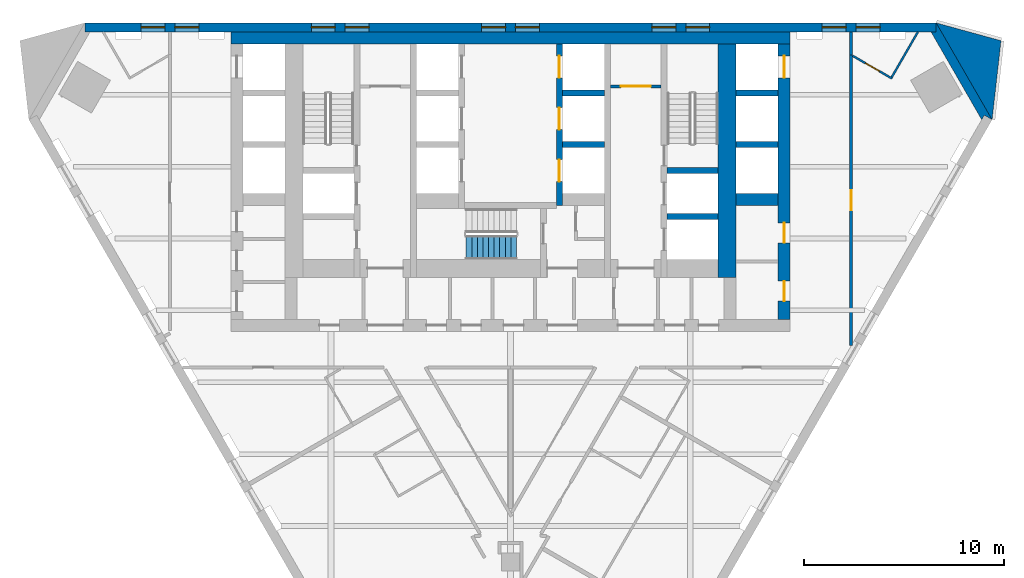
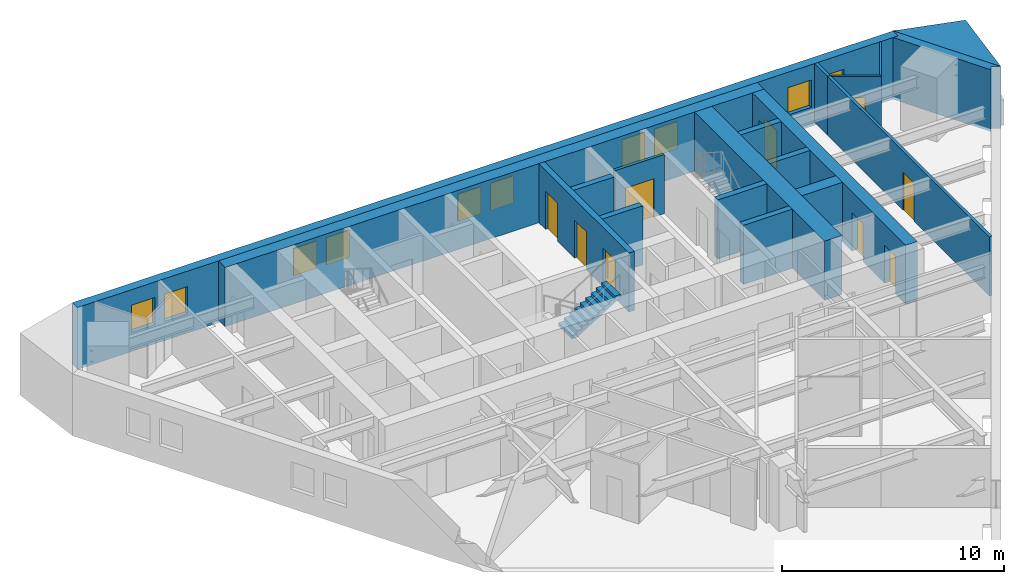
# One storey, part 6 of 9: 19 walls, 10 windows, 9 doors, 1 stair flight, 19 openings, 1 element without a shape of its own.
"""IFC4 building model written with IfcOpenShell, lengths in metres."""

from ifc_helpers import new_model, si_unit, direction, frame, frame_2d, origin, place, context, subcontext, project, spatial, polyline, rectangle, outline, extrude, material, layer, layer_set, type_object, element, fill, aggregate, save


model = new_model("IFC4")

# Units and contexts
model_context = context("Model", 3, precision=1e-05, world=origin(), true_north=direction((0.0, 1.0)))
body_context = subcontext(model_context, "Body", "Model", "MODEL_VIEW")
ifc_project = project(units=[si_unit("LENGTHUNIT", "METRE"), si_unit("AREAUNIT", "SQUARE_METRE"), si_unit("VOLUMEUNIT", "CUBIC_METRE"), si_unit("PLANEANGLEUNIT", "RADIAN"), si_unit("MASSUNIT", "GRAM", prefix="KILO")], contexts=[model_context])

# Site, building, storey
site_placement = place(None, origin())
site = spatial("IfcSite", under=ifc_project, at=site_placement, CompositionType="ELEMENT")
building_placement = place(site_placement, origin())
building = spatial("IfcBuilding", under=site, at=building_placement, Name="Aloe Facet Convention Tower", CompositionType="ELEMENT")
storey_placement = place(building_placement, frame((0.0, 0.0, 120.300048828125)))
storey = spatial("IfcBuildingStorey", under=building, at=storey_placement, Name="L30", CompositionType="ELEMENT", Elevation=120.300048828125)

# Wall, opening, door
ifc_material_1 = material(Name="Concrete blockwork partition", Category="masonry")
ifc_layer_1 = layer(ifc_material_1, 0.14990234375)
ifc_layer_set_1 = layer_set([ifc_layer_1], Name="CR-W-PART150")
wall_type_1 = type_object("IfcWallType", Name="CR-W-PART150", PredefinedType="PARTITIONING", material=ifc_layer_set_1)
wall_1_placement = place(storey_placement, frame((85.0, 131.824951171875, 0.0), z_axis=(0.0, 0.0, 1.0), x_axis=(1.0, 0.0, 0.0)))
wall_1 = element("IfcWall", 1, at=wall_1_placement, inside=storey, type_object=wall_type_1, Name="Core partition L30-039", PredefinedType="PARTITIONING", context=body_context, shape_type="SweptSolid", body=[
    extrude(rectangle(XDim=2.550048828125, YDim=0.14990234375, at=frame_2d((1.27490234375, 0.0))), origin(), (0.0, 0.0, 1.0), 3.25),
])
opening_1_placement = place(wall_1_placement, frame((0.52490234375, 0.0, 0.0)))
opening_1 = element("IfcOpeningElement", 2, at=opening_1_placement, cuts=wall_1, Name="Opening L30-CD20", PredefinedType="OPENING", context=body_context, shape_type="SweptSolid", body=[
    extrude(rectangle(XDim=1.5, YDim=2.10009765625, at=frame_2d((0.75, 1.050048828125))), frame((0.0, 0.0849609375, 0.0), z_axis=(0.0, -1.0, 0.0), x_axis=(1.0, 0.0, 0.0)), (0.0, 0.0, 1.0), 0.169921875),
])
ifc_material_2 = material(Name="Steel fire-resisting door set FD60", Category="steel")
door_type_1 = type_object("IfcDoorType", Name="CR-D-REFUGE-1500-FD60-DD", OperationType="DOUBLE_DOOR_DOUBLE_SWING", PredefinedType="DOOR", material=ifc_material_2)
door_1_placement = place(opening_1_placement, origin())
door_1 = element("IfcDoor", 3, at=door_1_placement, inside=storey, type_object=door_type_1, Name="Core door L30-CD20", OperationType="DOUBLE_DOOR_DOUBLE_SWING", OverallHeight=2.10009765625, OverallWidth=1.5, PredefinedType="DOOR", context=body_context, shape_type="SweptSolid", body=[
    extrude(rectangle(XDim=1.5, YDim=2.10009765625, at=frame_2d((0.75, 1.050048828125))), frame((0.0, 0.02490234375, 0.0), z_axis=(0.0, -1.0, 0.0), x_axis=(1.0, 0.0, 0.0)), (0.0, 0.0, 1.0), 0.050048828125),
])
fill(opening_1, door_1)

# Wall, openings, doors
ifc_material_3 = material(Name="Concrete C70/85", Category="concrete")
ifc_layer_2 = layer(ifc_material_3, 0.300048828125)
ifc_layer_set_2 = layer_set([ifc_layer_2], Name="CR-W-RC300-C7085")
wall_type_2 = type_object("IfcWallType", Name="CR-W-RC300-C7085", PredefinedType="SOLIDWALL", material=ifc_layer_set_2)
wall_2_placement = place(storey_placement, frame((82.449951171875, 133.949951171875, 0.0), z_axis=(0.0, 0.0, 1.0), x_axis=(0.0, -1.0, 0.0)))
wall_2 = element("IfcWall", 4, at=wall_2_placement, inside=storey, type_object=wall_type_2, Name="Core wall L30-031", PredefinedType="SOLIDWALL", context=body_context, shape_type="SweptSolid", body=[
    extrude(rectangle(XDim=8.099853515625, YDim=0.300048828125, at=frame_2d((4.0498046875, 0.0))), origin(), (0.0, 0.0, 1.0), 3.25),
])
opening_2_placement = place(wall_2_placement, frame((0.60009765625, 0.0, 0.0)))
opening_2 = element("IfcOpeningElement", 5, at=opening_2_placement, cuts=wall_2, Name="Opening LD-A4-L30", PredefinedType="OPENING", context=body_context, shape_type="SweptSolid", body=[
    extrude(rectangle(XDim=1.10009765625, YDim=2.10009765625, at=frame_2d((0.550048828125, 1.050048828125))), frame((0.0, 0.16015625, 0.0), z_axis=(0.0, -1.0, 0.0), x_axis=(1.0, 0.0, 0.0)), (0.0, 0.0, 1.0), 0.320068359375),
])
opening_3_placement = place(wall_2_placement, frame((3.199951171875, 0.0, 0.0)))
opening_3 = element("IfcOpeningElement", 6, at=opening_3_placement, cuts=wall_2, Name="Opening LD-A5-L30", PredefinedType="OPENING", context=body_context, shape_type="SweptSolid", body=[
    extrude(rectangle(XDim=1.10009765625, YDim=2.10009765625, at=frame_2d((0.550048828125, 1.050048828125))), frame((0.0, 0.16015625, 0.0), z_axis=(0.0, -1.0, 0.0), x_axis=(1.0, 0.0, 0.0)), (0.0, 0.0, 1.0), 0.320068359375),
])
opening_4_placement = place(wall_2_placement, frame((5.800048828125, 0.0, 0.0)))
opening_4 = element("IfcOpeningElement", 7, at=opening_4_placement, cuts=wall_2, Name="Opening LD-A6-L30", PredefinedType="OPENING", context=body_context, shape_type="SweptSolid", body=[
    extrude(rectangle(XDim=1.10009765625, YDim=2.10009765625, at=frame_2d((0.550048828125, 1.050048828125))), frame((0.0, 0.16015625, 0.0), z_axis=(0.0, -1.0, 0.0), x_axis=(1.0, 0.0, 0.0)), (0.0, 0.0, 1.0), 0.320068359375),
])
ifc_material_4 = material(Name="Stainless steel sliding landing door", Category="steel")
door_type_2 = type_object("IfcDoorType", Name="CR-LD-1100-FD60-_LEFT", OperationType="SLIDING_TO_LEFT", PredefinedType="DOOR", material=ifc_material_4)
door_2_placement = place(opening_2_placement, origin())
door_2 = element("IfcDoor", 8, at=door_2_placement, inside=storey, type_object=door_type_2, Name="Landing door A4 L30", OperationType="SLIDING_TO_LEFT", OverallHeight=2.10009765625, OverallWidth=1.10009765625, PredefinedType="DOOR", context=body_context, shape_type="SweptSolid", body=[
    extrude(rectangle(XDim=1.10009765625, YDim=2.10009765625, at=frame_2d((0.550048828125, 1.050048828125))), frame((0.0, 0.02490234375, 0.0), z_axis=(0.0, -1.0, 0.0), x_axis=(1.0, 0.0, 0.0)), (0.0, 0.0, 1.0), 0.050048828125),
])
fill(opening_2, door_2)
door_3_placement = place(opening_3_placement, origin())
door_3 = element("IfcDoor", 9, at=door_3_placement, inside=storey, type_object=door_type_2, Name="Landing door A5 L30", OperationType="SLIDING_TO_LEFT", OverallHeight=2.10009765625, OverallWidth=1.10009765625, PredefinedType="DOOR", context=body_context, shape_type="SweptSolid", body=[
    extrude(rectangle(XDim=1.10009765625, YDim=2.10009765625, at=frame_2d((0.550048828125, 1.050048828125))), frame((0.0, 0.02490234375, 0.0), z_axis=(0.0, -1.0, 0.0), x_axis=(1.0, 0.0, 0.0)), (0.0, 0.0, 1.0), 0.050048828125),
])
fill(opening_3, door_3)
door_4_placement = place(opening_4_placement, origin())
door_4 = element("IfcDoor", 10, at=door_4_placement, inside=storey, type_object=door_type_2, Name="Landing door A6 L30", OperationType="SLIDING_TO_LEFT", OverallHeight=2.10009765625, OverallWidth=1.10009765625, PredefinedType="DOOR", context=body_context, shape_type="SweptSolid", body=[
    extrude(rectangle(XDim=1.10009765625, YDim=2.10009765625, at=frame_2d((0.550048828125, 1.050048828125))), frame((0.0, 0.02490234375, 0.0), z_axis=(0.0, -1.0, 0.0), x_axis=(1.0, 0.0, 0.0)), (0.0, 0.0, 1.0), 0.050048828125),
])
fill(opening_4, door_4)

# Walls
for number, where, z_axis, x_axis, name in (
    (11, (82.60009765625, 131.5, 0.0), (0.0, 0.0, 1.0), (1.0, 0.0, 0.0), "Core wall L30-032"),
    (12, (82.60009765625, 128.89990234375, 0.0), (0.0, 0.0, 1.0), (1.0, 0.0, 0.0), "Core wall L30-033"),
):
    element("IfcWall", number, at=place(storey_placement, frame(where, z_axis=z_axis, x_axis=x_axis)), inside=storey, type_object=wall_type_2, Name=name, PredefinedType="SOLIDWALL", context=body_context, shape_type="SweptSolid", body=[
        extrude(rectangle(XDim=2.099853515625, YDim=0.300048828125, at=frame_2d((1.0498046875, 0.0))), origin(), (0.0, 0.0, 1.0), 3.25),
    ])
for number, where, z_axis, x_axis, name in (
    (13, (87.85009765625, 127.60009765625, 0.0), (0.0, 0.0, 1.0), (1.0, 0.0, 0.0), "Core wall L30-044"),
    (14, (87.85009765625, 125.300048828125, 0.0), (0.0, 0.0, 1.0), (1.0, 0.0, 0.0), "Core wall L30-045"),
):
    element("IfcWall", number, at=place(storey_placement, frame(where, z_axis=z_axis, x_axis=x_axis)), inside=storey, type_object=wall_type_2, Name=name, PredefinedType="SOLIDWALL", context=body_context, shape_type="SweptSolid", body=[
        extrude(rectangle(XDim=2.5498046875, YDim=0.300048828125, at=frame_2d((1.27490234375, 0.0))), origin(), (0.0, 0.0, 1.0), 3.25),
    ])
for number, where, z_axis, x_axis, name in (
    (15, (91.300048828125, 131.5, 0.0), (0.0, 0.0, 1.0), (1.0, 0.0, 0.0), "Core wall L30-050"),
    (16, (91.300048828125, 128.89990234375, 0.0), (0.0, 0.0, 1.0), (1.0, 0.0, 0.0), "Core wall L30-051"),
):
    element("IfcWall", number, at=place(storey_placement, frame(where, z_axis=z_axis, x_axis=x_axis)), inside=storey, type_object=wall_type_2, Name=name, PredefinedType="SOLIDWALL", context=body_context, shape_type="SweptSolid", body=[
        extrude(rectangle(XDim=2.099853515625, YDim=0.300048828125, at=frame_2d((1.0498046875, 0.0))), origin(), (0.0, 0.0, 1.0), 3.25),
    ])
ifc_material_5 = material(Name="Concrete C70/85", Category="concrete")
ifc_layer_3 = layer(ifc_material_5, 0.60009765625)
ifc_layer_set_3 = layer_set([ifc_layer_3], Name="CR-W-RC600-C7085")
wall_type_3 = type_object("IfcWallType", Name="CR-W-RC600-C7085", PredefinedType="SOLIDWALL", material=ifc_layer_set_3)
wall_3_placement = place(storey_placement, frame((66.0, 134.25, 0.0), z_axis=(0.0, 0.0, 1.0), x_axis=(1.0, 0.0, 0.0)))
element("IfcWall", 17, at=wall_3_placement, inside=storey, type_object=wall_type_3, Name="Core wall L30-001", PredefinedType="SOLIDWALL", context=body_context, shape_type="SweptSolid", body=[
    extrude(rectangle(XDim=28.0, YDim=0.60009765625, at=frame_2d((14.0, 0.0))), origin(), (0.0, 0.0, 1.0), 3.25),
])
wall_4_placement = place(storey_placement, frame((91.300048828125, 126.14990234375, 0.0), z_axis=(0.0, 0.0, 1.0), x_axis=(1.0, 0.0, 0.0)))
element("IfcWall", 18, at=wall_4_placement, inside=storey, type_object=wall_type_3, Name="Core wall L30-052", PredefinedType="SOLIDWALL", context=body_context, shape_type="SweptSolid", body=[
    extrude(rectangle(XDim=2.099853515625, YDim=0.60009765625, at=frame_2d((1.0498046875, 0.0))), origin(), (0.0, 0.0, 1.0), 3.25),
])

# Wall, openings, doors
wall_5_placement = place(storey_placement, frame((93.699951171875, 133.949951171875, 0.0), z_axis=(0.0, 0.0, 1.0), x_axis=(0.0, -1.0, 0.0)))
wall_5 = element("IfcWall", 19, at=wall_5_placement, inside=storey, type_object=wall_type_3, Name="Core wall L30-054", PredefinedType="SOLIDWALL", context=body_context, shape_type="SweptSolid", body=[
    extrude(rectangle(XDim=13.800048828125, YDim=0.60009765625, at=frame_2d((6.89990234375, 0.0))), origin(), (0.0, 0.0, 1.0), 3.25),
])
opening_5_placement = place(wall_5_placement, frame((0.60009765625, 0.0, 0.0)))
opening_5 = element("IfcOpeningElement", 20, at=opening_5_placement, cuts=wall_5, Name="Opening LD-A8-L30", PredefinedType="OPENING", context=body_context, shape_type="SweptSolid", body=[
    extrude(rectangle(XDim=1.10009765625, YDim=2.10009765625, at=frame_2d((0.550048828125, 1.050048828125))), frame((0.0, 0.31005859375, 0.0), z_axis=(0.0, -1.0, 0.0), x_axis=(1.0, 0.0, 0.0)), (0.0, 0.0, 1.0), 0.6201171875),
])
opening_6_placement = place(wall_5_placement, frame((8.963134765625, 0.0, 0.0)))
opening_6 = element("IfcOpeningElement", 21, at=opening_6_placement, cuts=wall_5, Name="Opening L30-CD09", PredefinedType="OPENING", context=body_context, shape_type="SweptSolid", body=[
    extrude(rectangle(XDim=1.0, YDim=2.10009765625, at=frame_2d((0.5, 1.050048828125))), frame((0.0, 0.31005859375, 0.0), z_axis=(0.0, -1.0, 0.0), x_axis=(1.0, 0.0, 0.0)), (0.0, 0.0, 1.0), 0.6201171875),
])
opening_7_placement = place(wall_5_placement, frame((11.88818359375, 0.0, 0.0)))
opening_7 = element("IfcOpeningElement", 22, at=opening_7_placement, cuts=wall_5, Name="Opening L30-CD10", PredefinedType="OPENING", context=body_context, shape_type="SweptSolid", body=[
    extrude(rectangle(XDim=1.0, YDim=2.10009765625, at=frame_2d((0.5, 1.050048828125))), frame((0.0, 0.31005859375, 0.0), z_axis=(0.0, -1.0, 0.0), x_axis=(1.0, 0.0, 0.0)), (0.0, 0.0, 1.0), 0.6201171875),
])
ifc_material_6 = material(Name="Steel fire-resisting door set FD60", Category="steel")
door_type_3 = type_object("IfcDoorType", Name="CR-D-ROOM-1000-FD60-SLEFT", OperationType="SINGLE_SWING_LEFT", PredefinedType="DOOR", material=ifc_material_6)
door_5_placement = place(opening_6_placement, origin())
door_5 = element("IfcDoor", 23, at=door_5_placement, inside=storey, type_object=door_type_3, Name="Core door L30-CD09", OperationType="SINGLE_SWING_LEFT", OverallHeight=2.10009765625, OverallWidth=1.0, PredefinedType="DOOR", context=body_context, shape_type="SweptSolid", body=[
    extrude(rectangle(XDim=1.0, YDim=2.10009765625, at=frame_2d((0.5, 1.050048828125))), frame((0.0, 0.02490234375, 0.0), z_axis=(0.0, -1.0, 0.0), x_axis=(1.0, 0.0, 0.0)), (0.0, 0.0, 1.0), 0.050048828125),
])
fill(opening_6, door_5)
door_6_placement = place(opening_7_placement, origin())
door_6 = element("IfcDoor", 24, at=door_6_placement, inside=storey, type_object=door_type_3, Name="Core door L30-CD10", OperationType="SINGLE_SWING_LEFT", OverallHeight=2.10009765625, OverallWidth=1.0, PredefinedType="DOOR", context=body_context, shape_type="SweptSolid", body=[
    extrude(rectangle(XDim=1.0, YDim=2.10009765625, at=frame_2d((0.5, 1.050048828125))), frame((0.0, 0.02490234375, 0.0), z_axis=(0.0, -1.0, 0.0), x_axis=(1.0, 0.0, 0.0)), (0.0, 0.0, 1.0), 0.050048828125),
])
fill(opening_7, door_6)
door_7_placement = place(opening_5_placement, origin())
door_7 = element("IfcDoor", 25, at=door_7_placement, inside=storey, type_object=door_type_2, Name="Landing door A8 L30", OperationType="SLIDING_TO_LEFT", OverallHeight=2.10009765625, OverallWidth=1.10009765625, PredefinedType="DOOR", context=body_context, shape_type="SweptSolid", body=[
    extrude(rectangle(XDim=1.10009765625, YDim=2.10009765625, at=frame_2d((0.550048828125, 1.050048828125))), frame((0.0, 0.02490234375, 0.0), z_axis=(0.0, -1.0, 0.0), x_axis=(1.0, 0.0, 0.0)), (0.0, 0.0, 1.0), 0.050048828125),
])
fill(opening_5, door_7)

# Walls
ifc_material_7 = material(Name="Concrete C70/85", Category="concrete")
ifc_layer_4 = layer(ifc_material_7, 0.89990234375)
ifc_layer_set_4 = layer_set([ifc_layer_4], Name="CR-W-RC900-C7085")
wall_type_4 = type_object("IfcWallType", Name="CR-W-RC900-C7085", PredefinedType="SOLIDWALL", material=ifc_layer_set_4)
wall_6_placement = place(storey_placement, frame((90.85009765625, 133.949951171875, 0.0), z_axis=(0.0, 0.0, 1.0), x_axis=(0.0, -1.0, 0.0)))
element("IfcWall", 26, at=wall_6_placement, inside=storey, type_object=wall_type_4, Name="Core wall L30-048", PredefinedType="SOLIDWALL", context=body_context, shape_type="SweptSolid", body=[
    extrude(rectangle(XDim=11.699951171875, YDim=0.89990234375, at=frame_2d((5.85009765625, 0.0))), origin(), (0.0, 0.0, 1.0), 3.25),
])
ifc_material_8 = material(Name="Precast concrete C40/50", Category="concrete")
ifc_layer_5 = layer(ifc_material_8, 0.449951171875)
ifc_layer_set_5 = layer_set([ifc_layer_5], Name="EV-WALL-PIER")
wall_type_5 = type_object("IfcWallType", Name="EV-WALL-PIER", PredefinedType="SOLIDWALL", material=ifc_layer_set_5)
wall_7_placement = place(storey_placement, frame((0.0, 0.0, -0.150146484375)))
element("IfcWall", 27, at=wall_7_placement, inside=storey, type_object=wall_type_5, Name="EP-L30-C", PredefinedType="SOLIDWALL", context=body_context, shape_type="SweptSolid", body=[
    extrude(outline(polyline([(104.12158203125, 130.150146484375), (103.73193359375, 130.375244140625), (103.601806640625, 130.150146484375), (101.061767578125, 134.550048828125), (101.321533203125, 134.550048828125), (101.321533203125, 135.0), (104.12158203125, 130.150146484375)])), origin(), (0.0, 0.0, 1.0), 3.400146484375),
])
ifc_material_9 = material(Name="Precast concrete C40/50", Category="concrete")
ifc_layer_6 = layer(ifc_material_9, 3.947998046875)
ifc_layer_set_6 = layer_set([ifc_layer_6], Name="EV-WALL-SPINE")
wall_type_6 = type_object("IfcWallType", Name="EV-WALL-SPINE", PredefinedType="SOLIDWALL", material=ifc_layer_set_6)
wall_8_placement = place(storey_placement, frame((0.0, 0.0, -0.150146484375)))
element("IfcWall", 28, at=wall_8_placement, inside=storey, type_object=wall_type_6, Name="SP-NE-L30", PredefinedType="SOLIDWALL", context=body_context, shape_type="SweptSolid", body=[
    extrude(outline(polyline([(104.12158203125, 130.150146484375), (104.56787109375, 134.109130859375), (101.321533203125, 135.0), (104.12158203125, 130.150146484375)])), origin(), (0.0, 0.0, 1.0), 3.400146484375),
])

# Wall, openings, windows
ifc_material_10 = material(Name="Precast concrete C40/50", Category="concrete")
ifc_layer_7 = layer(ifc_material_10, 0.449951171875)
ifc_layer_set_7 = layer_set([ifc_layer_7], Name="EV-WALL-STONE")
wall_type_7 = type_object("IfcWallType", Name="EV-WALL-STONE", PredefinedType="SOLIDWALL", material=ifc_layer_set_7)
wall_9_placement = place(storey_placement, frame((101.321533203125, 134.77490234375, -0.150146484375), z_axis=(0.0, 0.0, 1.0), x_axis=(-1.0, 0.0, 0.0)))
wall_9 = element("IfcWall", 29, at=wall_9_placement, inside=storey, type_object=wall_type_7, Name="EW-L30-N01", PredefinedType="SOLIDWALL", context=body_context, shape_type="SweptSolid", body=[
    extrude(outline(polyline([(42.64306640625, 0.0), (42.64306640625, 3.400146484375), (0.0, 3.400146484375), (0.0, 0.0), (42.64306640625, 0.0)])), frame((0.0, 0.22509765625, 0.0), z_axis=(0.0, -1.0, 0.0), x_axis=(1.0, 0.0, 0.0)), (0.0, 0.0, 1.0), 0.449951171875),
])
opening_8_placement = place(wall_9_placement, frame((2.814208984375, 0.0, 1.050048828125)))
opening_8 = element("IfcOpeningElement", 30, at=opening_8_placement, cuts=wall_9, Name="Opening W-L30-N01", PredefinedType="OPENING", context=body_context, shape_type="SweptSolid", body=[
    extrude(rectangle(XDim=1.199951171875, YDim=1.5, at=frame_2d((0.60009765625, 0.75))), frame((0.0, 0.23486328125, 0.0), z_axis=(0.0, -1.0, 0.0), x_axis=(1.0, 0.0, 0.0)), (0.0, 0.0, 1.0), 0.469970703125),
])
opening_9_placement = place(wall_9_placement, frame((4.514404296875, 0.0, 1.050048828125)))
opening_9 = element("IfcOpeningElement", 31, at=opening_9_placement, cuts=wall_9, Name="Opening W-L30-N02", PredefinedType="OPENING", context=body_context, shape_type="SweptSolid", body=[
    extrude(rectangle(XDim=1.199951171875, YDim=1.5, at=frame_2d((0.60009765625, 0.75))), frame((0.0, 0.23486328125, 0.0), z_axis=(0.0, -1.0, 0.0), x_axis=(1.0, 0.0, 0.0)), (0.0, 0.0, 1.0), 0.469970703125),
])
opening_10_placement = place(wall_9_placement, frame((11.343017578125, 0.0, 1.050048828125)))
opening_10 = element("IfcOpeningElement", 32, at=opening_10_placement, cuts=wall_9, Name="Opening W-L30-N03", PredefinedType="OPENING", context=body_context, shape_type="SweptSolid", body=[
    extrude(rectangle(XDim=1.199951171875, YDim=1.5, at=frame_2d((0.60009765625, 0.75))), frame((0.0, 0.23486328125, 0.0), z_axis=(0.0, -1.0, 0.0), x_axis=(1.0, 0.0, 0.0)), (0.0, 0.0, 1.0), 0.469970703125),
])
opening_11_placement = place(wall_9_placement, frame((13.04296875, 0.0, 1.050048828125)))
opening_11 = element("IfcOpeningElement", 33, at=opening_11_placement, cuts=wall_9, Name="Opening W-L30-N04", PredefinedType="OPENING", context=body_context, shape_type="SweptSolid", body=[
    extrude(rectangle(XDim=1.199951171875, YDim=1.5, at=frame_2d((0.60009765625, 0.75))), frame((0.0, 0.23486328125, 0.0), z_axis=(0.0, -1.0, 0.0), x_axis=(1.0, 0.0, 0.0)), (0.0, 0.0, 1.0), 0.469970703125),
])
opening_12_placement = place(wall_9_placement, frame((19.87158203125, 0.0, 1.050048828125)))
opening_12 = element("IfcOpeningElement", 34, at=opening_12_placement, cuts=wall_9, Name="Opening W-L30-N05", PredefinedType="OPENING", context=body_context, shape_type="SweptSolid", body=[
    extrude(rectangle(XDim=1.199951171875, YDim=1.5, at=frame_2d((0.60009765625, 0.75))), frame((0.0, 0.23486328125, 0.0), z_axis=(0.0, -1.0, 0.0), x_axis=(1.0, 0.0, 0.0)), (0.0, 0.0, 1.0), 0.469970703125),
])
opening_13_placement = place(wall_9_placement, frame((21.571533203125, 0.0, 1.050048828125)))
opening_13 = element("IfcOpeningElement", 35, at=opening_13_placement, cuts=wall_9, Name="Opening W-L30-N06", PredefinedType="OPENING", context=body_context, shape_type="SweptSolid", body=[
    extrude(rectangle(XDim=1.199951171875, YDim=1.5, at=frame_2d((0.60009765625, 0.75))), frame((0.0, 0.23486328125, 0.0), z_axis=(0.0, -1.0, 0.0), x_axis=(1.0, 0.0, 0.0)), (0.0, 0.0, 1.0), 0.469970703125),
])
opening_14_placement = place(wall_9_placement, frame((28.400146484375, 0.0, 1.050048828125)))
opening_14 = element("IfcOpeningElement", 36, at=opening_14_placement, cuts=wall_9, Name="Opening W-L30-N07", PredefinedType="OPENING", context=body_context, shape_type="SweptSolid", body=[
    extrude(rectangle(XDim=1.199951171875, YDim=1.5, at=frame_2d((0.60009765625, 0.75))), frame((0.0, 0.23486328125, 0.0), z_axis=(0.0, -1.0, 0.0), x_axis=(1.0, 0.0, 0.0)), (0.0, 0.0, 1.0), 0.469970703125),
])
opening_15_placement = place(wall_9_placement, frame((30.10009765625, 0.0, 1.050048828125)))
opening_15 = element("IfcOpeningElement", 37, at=opening_15_placement, cuts=wall_9, Name="Opening W-L30-N08", PredefinedType="OPENING", context=body_context, shape_type="SweptSolid", body=[
    extrude(rectangle(XDim=1.199951171875, YDim=1.5, at=frame_2d((0.60009765625, 0.75))), frame((0.0, 0.23486328125, 0.0), z_axis=(0.0, -1.0, 0.0), x_axis=(1.0, 0.0, 0.0)), (0.0, 0.0, 1.0), 0.469970703125),
])
opening_16_placement = place(wall_9_placement, frame((36.9287109375, 0.0, 1.050048828125)))
opening_16 = element("IfcOpeningElement", 38, at=opening_16_placement, cuts=wall_9, Name="Opening W-L30-N09", PredefinedType="OPENING", context=body_context, shape_type="SweptSolid", body=[
    extrude(rectangle(XDim=1.199951171875, YDim=1.5, at=frame_2d((0.60009765625, 0.75))), frame((0.0, 0.23486328125, 0.0), z_axis=(0.0, -1.0, 0.0), x_axis=(1.0, 0.0, 0.0)), (0.0, 0.0, 1.0), 0.469970703125),
])
opening_17_placement = place(wall_9_placement, frame((38.628662109375, 0.0, 1.050048828125)))
opening_17 = element("IfcOpeningElement", 39, at=opening_17_placement, cuts=wall_9, Name="Opening W-L30-N10", PredefinedType="OPENING", context=body_context, shape_type="SweptSolid", body=[
    extrude(rectangle(XDim=1.199951171875, YDim=1.5, at=frame_2d((0.60009765625, 0.75))), frame((0.0, 0.23486328125, 0.0), z_axis=(0.0, -1.0, 0.0), x_axis=(1.0, 0.0, 0.0)), (0.0, 0.0, 1.0), 0.469970703125),
])
ifc_material_11 = material(Name="Aluminium frame, clear double glazing", Category="aluminium")
window_type = type_object("IfcWindowType", Name="EV-WIN-H12", PartitioningType="SINGLE_PANEL", PredefinedType="WINDOW", material=ifc_material_11)
window_1_placement = place(opening_8_placement, origin())
window_1 = element("IfcWindow", 40, at=window_1_placement, inside=storey, type_object=window_type, Name="W-L30-N01", OverallHeight=1.5, OverallWidth=1.199951171875, PartitioningType="SINGLE_PANEL", PredefinedType="WINDOW", context=body_context, shape_type="SweptSolid", body=[
    extrude(rectangle(XDim=1.199951171875, YDim=1.5, at=frame_2d((0.60009765625, 0.75))), frame((0.0, 0.030029296875, 0.0), z_axis=(0.0, -1.0, 0.0), x_axis=(1.0, 0.0, 0.0)), (0.0, 0.0, 1.0), 0.06005859375),
])
fill(opening_8, window_1)
window_2_placement = place(opening_9_placement, origin())
window_2 = element("IfcWindow", 41, at=window_2_placement, inside=storey, type_object=window_type, Name="W-L30-N02", OverallHeight=1.5, OverallWidth=1.199951171875, PartitioningType="SINGLE_PANEL", PredefinedType="WINDOW", context=body_context, shape_type="SweptSolid", body=[
    extrude(rectangle(XDim=1.199951171875, YDim=1.5, at=frame_2d((0.60009765625, 0.75))), frame((0.0, 0.030029296875, 0.0), z_axis=(0.0, -1.0, 0.0), x_axis=(1.0, 0.0, 0.0)), (0.0, 0.0, 1.0), 0.06005859375),
])
fill(opening_9, window_2)
window_3_placement = place(opening_10_placement, origin())
window_3 = element("IfcWindow", 42, at=window_3_placement, inside=storey, type_object=window_type, Name="W-L30-N03", OverallHeight=1.5, OverallWidth=1.199951171875, PartitioningType="SINGLE_PANEL", PredefinedType="WINDOW", context=body_context, shape_type="SweptSolid", body=[
    extrude(rectangle(XDim=1.199951171875, YDim=1.5, at=frame_2d((0.60009765625, 0.75))), frame((0.0, 0.030029296875, 0.0), z_axis=(0.0, -1.0, 0.0), x_axis=(1.0, 0.0, 0.0)), (0.0, 0.0, 1.0), 0.06005859375),
])
fill(opening_10, window_3)
window_4_placement = place(opening_11_placement, origin())
window_4 = element("IfcWindow", 43, at=window_4_placement, inside=storey, type_object=window_type, Name="W-L30-N04", OverallHeight=1.5, OverallWidth=1.199951171875, PartitioningType="SINGLE_PANEL", PredefinedType="WINDOW", context=body_context, shape_type="SweptSolid", body=[
    extrude(rectangle(XDim=1.199951171875, YDim=1.5, at=frame_2d((0.60009765625, 0.75))), frame((0.0, 0.030029296875, 0.0), z_axis=(0.0, -1.0, 0.0), x_axis=(1.0, 0.0, 0.0)), (0.0, 0.0, 1.0), 0.06005859375),
])
fill(opening_11, window_4)
window_5_placement = place(opening_12_placement, origin())
window_5 = element("IfcWindow", 44, at=window_5_placement, inside=storey, type_object=window_type, Name="W-L30-N05", OverallHeight=1.5, OverallWidth=1.199951171875, PartitioningType="SINGLE_PANEL", PredefinedType="WINDOW", context=body_context, shape_type="SweptSolid", body=[
    extrude(rectangle(XDim=1.199951171875, YDim=1.5, at=frame_2d((0.60009765625, 0.75))), frame((0.0, 0.030029296875, 0.0), z_axis=(0.0, -1.0, 0.0), x_axis=(1.0, 0.0, 0.0)), (0.0, 0.0, 1.0), 0.06005859375),
])
fill(opening_12, window_5)
window_6_placement = place(opening_13_placement, origin())
window_6 = element("IfcWindow", 45, at=window_6_placement, inside=storey, type_object=window_type, Name="W-L30-N06", OverallHeight=1.5, OverallWidth=1.199951171875, PartitioningType="SINGLE_PANEL", PredefinedType="WINDOW", context=body_context, shape_type="SweptSolid", body=[
    extrude(rectangle(XDim=1.199951171875, YDim=1.5, at=frame_2d((0.60009765625, 0.75))), frame((0.0, 0.030029296875, 0.0), z_axis=(0.0, -1.0, 0.0), x_axis=(1.0, 0.0, 0.0)), (0.0, 0.0, 1.0), 0.06005859375),
])
fill(opening_13, window_6)
window_7_placement = place(opening_14_placement, origin())
window_7 = element("IfcWindow", 46, at=window_7_placement, inside=storey, type_object=window_type, Name="W-L30-N07", OverallHeight=1.5, OverallWidth=1.199951171875, PartitioningType="SINGLE_PANEL", PredefinedType="WINDOW", context=body_context, shape_type="SweptSolid", body=[
    extrude(rectangle(XDim=1.199951171875, YDim=1.5, at=frame_2d((0.60009765625, 0.75))), frame((0.0, 0.030029296875, 0.0), z_axis=(0.0, -1.0, 0.0), x_axis=(1.0, 0.0, 0.0)), (0.0, 0.0, 1.0), 0.06005859375),
])
fill(opening_14, window_7)
window_8_placement = place(opening_15_placement, origin())
window_8 = element("IfcWindow", 47, at=window_8_placement, inside=storey, type_object=window_type, Name="W-L30-N08", OverallHeight=1.5, OverallWidth=1.199951171875, PartitioningType="SINGLE_PANEL", PredefinedType="WINDOW", context=body_context, shape_type="SweptSolid", body=[
    extrude(rectangle(XDim=1.199951171875, YDim=1.5, at=frame_2d((0.60009765625, 0.75))), frame((0.0, 0.030029296875, 0.0), z_axis=(0.0, -1.0, 0.0), x_axis=(1.0, 0.0, 0.0)), (0.0, 0.0, 1.0), 0.06005859375),
])
fill(opening_15, window_8)
window_9_placement = place(opening_16_placement, origin())
window_9 = element("IfcWindow", 48, at=window_9_placement, inside=storey, type_object=window_type, Name="W-L30-N09", OverallHeight=1.5, OverallWidth=1.199951171875, PartitioningType="SINGLE_PANEL", PredefinedType="WINDOW", context=body_context, shape_type="SweptSolid", body=[
    extrude(rectangle(XDim=1.199951171875, YDim=1.5, at=frame_2d((0.60009765625, 0.75))), frame((0.0, 0.030029296875, 0.0), z_axis=(0.0, -1.0, 0.0), x_axis=(1.0, 0.0, 0.0)), (0.0, 0.0, 1.0), 0.06005859375),
])
fill(opening_16, window_9)
window_10_placement = place(opening_17_placement, origin())
window_10 = element("IfcWindow", 49, at=window_10_placement, inside=storey, type_object=window_type, Name="W-L30-N10", OverallHeight=1.5, OverallWidth=1.199951171875, PartitioningType="SINGLE_PANEL", PredefinedType="WINDOW", context=body_context, shape_type="SweptSolid", body=[
    extrude(rectangle(XDim=1.199951171875, YDim=1.5, at=frame_2d((0.60009765625, 0.75))), frame((0.0, 0.030029296875, 0.0), z_axis=(0.0, -1.0, 0.0), x_axis=(1.0, 0.0, 0.0)), (0.0, 0.0, 1.0), 0.06005859375),
])
fill(opening_17, window_10)

# Wall
ifc_material_12 = material(Name="Gypsum board partition on steel studs", Category="steel")
ifc_layer_8 = layer(ifc_material_12, 0.14990234375)
ifc_layer_set_8 = layer_set([ifc_layer_8], Name="IN-W-CORR")
wall_type_8 = type_object("IfcWallType", Name="IN-W-CORR", PredefinedType="PARTITIONING", material=ifc_layer_set_8)
wall_10_placement = place(storey_placement, frame((97.05712890625, 133.39794921875, 0.0), z_axis=(0.0, 0.0, 1.0), x_axis=(0.0, 1.0, 0.0)))
element("IfcWall", 50, at=wall_10_placement, inside=storey, type_object=wall_type_8, Name="Partition L30-W058", PredefinedType="PARTITIONING", context=body_context, shape_type="SweptSolid", body=[
    extrude(rectangle(XDim=1.152099609375, YDim=0.14990234375, at=frame_2d((0.576171875, 0.0))), origin(), (0.0, 0.0, 1.0), 3.25),
])

# Wall, opening, door
wall_11_placement = place(storey_placement, frame((97.05712890625, 118.83447265625, 0.0), z_axis=(0.0, 0.0, 1.0), x_axis=(0.0, 1.0, 0.0)))
wall_11 = element("IfcWall", 51, at=wall_11_placement, inside=storey, type_object=wall_type_8, Name="Partition L30-W059", PredefinedType="PARTITIONING", context=body_context, shape_type="SweptSolid", body=[
    extrude(rectangle(XDim=14.5634765625, YDim=0.14990234375, at=frame_2d((7.28173828125, 0.0))), origin(), (0.0, 0.0, 1.0), 3.25),
])
opening_18_placement = place(wall_11_placement, frame((6.78173828125, 0.0, 0.0)))
opening_18 = element("IfcOpeningElement", 52, at=opening_18_placement, cuts=wall_11, Name="Opening L30-005", PredefinedType="OPENING", context=body_context, shape_type="SweptSolid", body=[
    extrude(rectangle(XDim=1.0, YDim=2.10009765625, at=frame_2d((0.5, 1.050048828125))), frame((0.0, 0.0849609375, 0.0), z_axis=(0.0, -1.0, 0.0), x_axis=(1.0, 0.0, 0.0)), (0.0, 0.0, 1.0), 0.169921875),
])
ifc_material_13 = material(Name="Hardwood flush door FD30S", Category="wood")
door_type_4 = type_object("IfcDoorType", Name="IN-D-WIDE", OperationType="SINGLE_SWING_LEFT", PredefinedType="DOOR", material=ifc_material_13)
door_8_placement = place(opening_18_placement, origin())
door_8 = element("IfcDoor", 53, at=door_8_placement, inside=storey, type_object=door_type_4, Name="Door L30-005", OperationType="SINGLE_SWING_LEFT", OverallHeight=2.10009765625, OverallWidth=1.0, PredefinedType="DOOR", context=body_context, shape_type="SweptSolid", body=[
    extrude(rectangle(XDim=1.0, YDim=2.10009765625, at=frame_2d((0.5, 1.050048828125))), frame((0.0, 0.02490234375, 0.0), z_axis=(0.0, -1.0, 0.0), x_axis=(1.0, 0.0, 0.0)), (0.0, 0.0, 1.0), 0.050048828125),
])
fill(opening_18, door_8)

ifc_material_14 = material(Name="Gypsum board partition on steel studs", Category="steel")
ifc_layer_9 = layer(ifc_material_14, 0.10009765625)
ifc_layer_set_9 = layer_set([ifc_layer_9], Name="IN-W-PART")
wall_type_9 = type_object("IfcWallType", Name="IN-W-PART", PredefinedType="PARTITIONING", material=ifc_layer_set_9)
wall_12_placement = place(storey_placement, frame((97.139404296875, 133.350341796875, 0.0), z_axis=(0.0, 0.0, 1.0), x_axis=(0.866039300388, -0.499975929603, 0.0)))
wall_12 = element("IfcWall", 54, at=wall_12_placement, inside=storey, type_object=wall_type_9, Name="Partition L30-W056", PredefinedType="PARTITIONING", context=body_context, shape_type="SweptSolid", body=[
    extrude(rectangle(XDim=2.27880859375, YDim=0.10009765625, at=frame_2d((1.139404296875, 0.0))), origin(), (0.0, 0.0, 1.0), 3.25),
])
opening_19_placement = place(wall_12_placement, frame((0.739501953125, 0.0, 0.0)))
opening_19 = element("IfcOpeningElement", 55, at=opening_19_placement, cuts=wall_12, Name="Opening L30-015", PredefinedType="OPENING", context=body_context, shape_type="SweptSolid", body=[
    extrude(rectangle(XDim=0.800048828125, YDim=2.10009765625, at=frame_2d((0.39990234375, 1.050048828125))), frame((0.0, 0.06005859375, 0.0), z_axis=(0.0, -1.0, 0.0), x_axis=(1.0, 0.0, 0.0)), (0.0, 0.0, 1.0), 0.1201171875),
])
ifc_material_15 = material(Name="Timber flush door", Category="wood")
door_type_5 = type_object("IfcDoorType", Name="IN-D-BATH", OperationType="SINGLE_SWING_LEFT", PredefinedType="DOOR", material=ifc_material_15)
door_9_placement = place(opening_19_placement, origin())
door_9 = element("IfcDoor", 56, at=door_9_placement, inside=storey, type_object=door_type_5, Name="Door L30-015", OperationType="SINGLE_SWING_LEFT", OverallHeight=2.10009765625, OverallWidth=0.800048828125, PredefinedType="DOOR", context=body_context, shape_type="SweptSolid", body=[
    extrude(rectangle(XDim=0.800048828125, YDim=2.10009765625, at=frame_2d((0.39990234375, 1.050048828125))), frame((0.0, 0.02490234375, 0.0), z_axis=(0.0, -1.0, 0.0), x_axis=(1.0, 0.0, 0.0)), (0.0, 0.0, 1.0), 0.050048828125),
])
fill(opening_19, door_9)

# Wall
wall_13_placement = place(storey_placement, frame((99.0947265625, 132.279296875, 0.0), z_axis=(0.0, 0.0, 1.0), x_axis=(0.500004549355, 0.866022777197, 0.0)))
element("IfcWall", 57, at=wall_13_placement, inside=storey, type_object=wall_type_9, Name="Partition L30-W061", PredefinedType="PARTITIONING", context=body_context, shape_type="SweptSolid", body=[
    extrude(rectangle(XDim=2.6220703125, YDim=0.10009765625, at=frame_2d((1.31103515625, 0.0))), origin(), (0.0, 0.0, 1.0), 3.25),
])

# Stair, stair flight
ifc_material_16 = material(Name="Concrete C50/60", Category="concrete")
stair_type = type_object("IfcStairType", Name="CR-ST-20R", PredefinedType="HALF_TURN_STAIR", material=ifc_material_16)
stair_placement = place(storey_placement, origin())
stair = element("IfcStair", 58, at=stair_placement, inside=storey, type_object=stair_type, Name="L30 Protected exit stair ST3", PredefinedType="HALF_TURN_STAIR")
ifc_material_17 = material(Name="Concrete C50/60", Category="concrete")
stair_flight_type = type_object("IfcStairFlightType", Name="CR-SFL-20R", PredefinedType="STRAIGHT", material=ifc_material_17)
stair_flight_placement = place(storey_placement, frame((77.780029296875, 123.75, 1.75), z_axis=(0.0, 0.0, 1.0), x_axis=(1.0, 0.0, 0.0)))
stair_flight = element("IfcStairFlight", 59, at=stair_flight_placement, type_object=stair_flight_type, Name="ST3 flight 2", NumberOfRisers=10, NumberOfTreads=9, PredefinedType="STRAIGHT", RiserHeight=0.175, TreadLength=0.28, context=body_context, shape_type="SweptSolid", body=[
    extrude(outline(polyline([(0.0, 0.0), (0.0, 0.175048828125), (0.280029296875, 0.175048828125), (0.280029296875, 0.35009765625), (0.56005859375, 0.35009765625), (0.56005859375, 0.52490234375), (0.840087890625, 0.52490234375), (0.840087890625, 0.699951171875), (1.1201171875, 0.699951171875), (1.1201171875, 0.875), (1.39990234375, 0.875), (1.39990234375, 1.050048828125), (1.679931640625, 1.050048828125), (1.679931640625, 1.22509765625), (1.9599609375, 1.22509765625), (1.9599609375, 1.39990234375), (2.239990234375, 1.39990234375), (2.239990234375, 1.574951171875), (2.52001953125, 1.574951171875), (2.52001953125, 1.75), (2.52001953125, 1.398193359375), (0.28271484375, 0.0), (0.0, 0.0)])), frame((0.0, 0.60009765625, 0.0), z_axis=(0.0, -1.0, 0.0), x_axis=(1.0, 0.0, 0.0)), (0.0, 0.0, 1.0), 1.199951171875),
])
aggregate(stair, [stair_flight])

save(model, "model.ifc")
